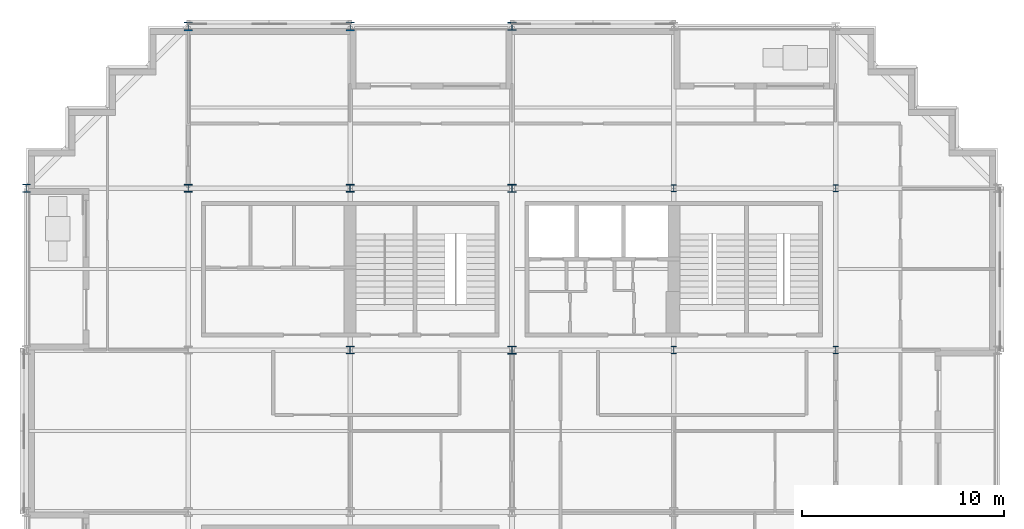
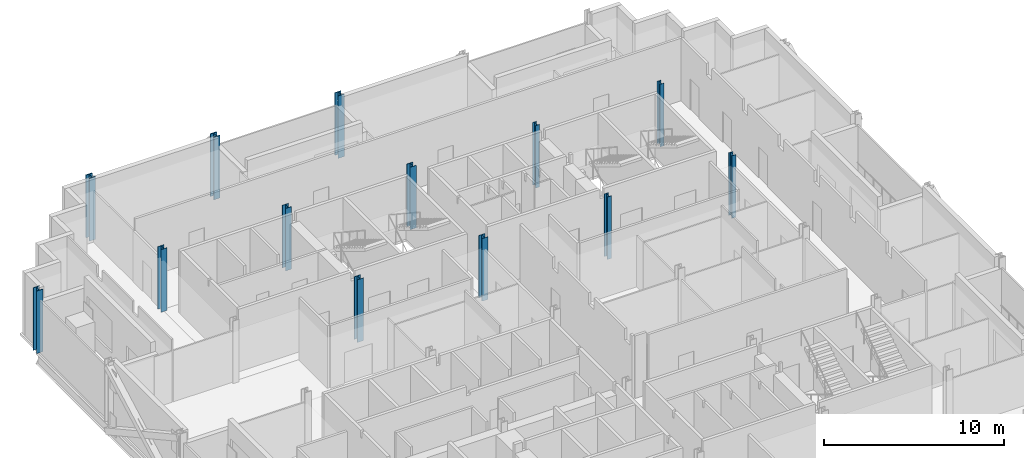
# One storey, part 2 of 15: 13 columns.
"""IFC4 building model written with IfcOpenShell, lengths in metres."""

import ifcopenshell
import ifcopenshell.guid

model = None  # the IFC model being written
_history = None  # IfcOwnerHistory: only IFC2X3 demands one
_inside = {}  # id of a spatial element -> (the spatial element, [elements in it])
_under = {}  # id of a project, library or spatial element -> (it, [spatial elements below it])
_declared = {}  # id of a project -> (the project, [libraries it declares])
_typed = {}  # id of a type object -> (the type object, [elements of that type])
_made_of = {}  # id of a material, layer set ... -> (it, [elements and type objects made of it])


def new_model(schema):
    """Start an empty IFC model of exactly this schema.

    Asked for "IFC4X3", IfcOpenShell would pick the latest addendum, in which some entities
    have other attributes; the version numbers below select the first issue.
    IFC2X3 requires an IfcOwnerHistory on every rooted entity: one is made here for all.
    """
    global model, _history
    if schema == "IFC4X3":
        model = ifcopenshell.file(schema_version=(4, 3, 0, 0))
    else:
        model = ifcopenshell.file(schema=schema)
    _inside.clear()
    _under.clear()
    _declared.clear()
    _typed.clear()
    _made_of.clear()
    _history = None
    if model.schema == "IFC2X3":
        org = make("IfcOrganization", Name="unknown")
        user = make(
            "IfcPersonAndOrganization",
            ThePerson=make("IfcPerson", FamilyName="unknown"),
            TheOrganization=org,
        )
        app = make(
            "IfcApplication",
            ApplicationDeveloper=org,
            Version="unknown",
            ApplicationFullName="unknown",
            ApplicationIdentifier="unknown",
        )
        _history = make(
            "IfcOwnerHistory",
            OwningUser=user,
            OwningApplication=app,
            ChangeAction="ADDED",
            CreationDate=0,
        )
    return model


def make(cls, **values):
    """One entity of the class cls with the attributes given. An attribute that is None is left unset."""
    return model.create_entity(
        cls, **{name: value for name, value in values.items() if value is not None}
    )


def rooted(cls, **values):
    """An entity with a GlobalId (a new one), such as an element, a storey or a relation."""
    return make(cls, GlobalId=ifcopenshell.guid.new(), OwnerHistory=_history, **values)


def si_unit(unit_type, name, prefix=None):
    """IfcSIUnit, for example si_unit("LENGTHUNIT", "METRE", prefix="MILLI")."""
    return make("IfcSIUnit", UnitType=unit_type, Prefix=prefix, Name=name)


def assignment(units):
    """IfcUnitAssignment: the units of a project."""
    return None if units is None else make("IfcUnitAssignment", Units=units)


def point(xyz):
    """IfcCartesianPoint."""
    return None if xyz is None else make("IfcCartesianPoint", Coordinates=xyz)


def direction(xyz):
    """IfcDirection."""
    return None if xyz is None else make("IfcDirection", DirectionRatios=xyz)


def frame(location, z_axis=None, x_axis=None):
    """IfcAxis2Placement3D, a coordinate frame: its origin and axes. An axis left out is left unset."""
    return make(
        "IfcAxis2Placement3D",
        Location=point(location),
        Axis=direction(z_axis),
        RefDirection=direction(x_axis),
    )


def frame_2d(location, x_axis=None):
    """IfcAxis2Placement2D, a coordinate frame in the plane: its origin and x axis."""
    return make(
        "IfcAxis2Placement2D", Location=point(location), RefDirection=direction(x_axis)
    )


def origin():
    """The frame at (0, 0, 0) with its axes left unset."""
    return frame((0.0, 0.0, 0.0))


def origin_2d():
    """The frame at (0, 0) in the plane with its x axis left unset."""
    return frame_2d((0.0, 0.0))


def place(relative_to, where):
    """IfcLocalPlacement: puts the frame where relative to a parent placement (None: the world)."""
    return make(
        "IfcLocalPlacement", PlacementRelTo=relative_to, RelativePlacement=where
    )


def context(
    kind, dimensions, precision=None, world=None, true_north=None, identifier=None
):
    """IfcGeometricRepresentationContext, for example the 3D "Model" context."""
    return make(
        "IfcGeometricRepresentationContext",
        ContextIdentifier=identifier,
        ContextType=kind,
        CoordinateSpaceDimension=dimensions,
        Precision=precision,
        WorldCoordinateSystem=world,
        TrueNorth=true_north,
    )


def subcontext(parent, identifier, kind, view, scale=None):
    """IfcGeometricRepresentationSubContext, for example "Body" below "Model"."""
    return make(
        "IfcGeometricRepresentationSubContext",
        ContextIdentifier=identifier,
        ContextType=kind,
        ParentContext=parent,
        TargetScale=scale,
        TargetView=view,
    )


def project(units=None, contexts=None):
    """IfcProject with its units and contexts."""
    return rooted(
        "IfcProject",
        Name="project",
        RepresentationContexts=contexts,
        UnitsInContext=assignment(units),
    )


def spatial(cls, under=None, at=None, **own):
    """A site, building, storey or space (cls), placed at a placement, below another one or the project."""
    s = rooted(cls, ObjectPlacement=at, **own)
    if under is not None:
        _under.setdefault(under.id(), (under, []))[1].append(s)
    return s


def profile(cls, at=None, kind="AREA", **sizes):
    """A parametric profile (cls). Its sizes go by their IFC names, for example OverallWidth=200.0."""
    return make(cls, ProfileType=kind, Position=at, **sizes)


def i_section(**sizes):
    """IfcIShapeProfileDef."""
    return profile("IfcIShapeProfileDef", **sizes)


def extrude(swept, where, along, depth):
    """IfcExtrudedAreaSolid: the profile swept, set in the frame where, extruded along a direction by depth."""
    return make(
        "IfcExtrudedAreaSolid",
        SweptArea=swept,
        Position=where,
        ExtrudedDirection=direction(along),
        Depth=depth,
    )


def shape(context_of_items, identifier, shape_type, items):
    """IfcShapeRepresentation: the items that make up one representation, for example the "Body"."""
    return make(
        "IfcShapeRepresentation",
        ContextOfItems=context_of_items,
        RepresentationIdentifier=identifier,
        RepresentationType=shape_type,
        Items=items,
    )


def material(Name=None, Category=None):
    """IfcMaterial."""
    return make("IfcMaterial", Name=Name, Category=Category)


def material_profile(
    of_material, cross_section, Name=None, Category=None, Priority=None
):
    """IfcMaterialProfile: a cross section and its material."""
    return make(
        "IfcMaterialProfile",
        Name=Name,
        Material=of_material,
        Profile=cross_section,
        Priority=Priority,
        Category=Category,
    )


def profile_set(profiles, Name=None, composite=None):
    """IfcMaterialProfileSet."""
    return make(
        "IfcMaterialProfileSet",
        Name=Name,
        MaterialProfiles=profiles,
        CompositeProfile=composite,
    )


def made_of(thing, what):
    """Note that an element or type object is made of a material, layer set ...; save() writes the relation."""
    if what is not None:
        _made_of.setdefault(what.id(), (what, []))[1].append(thing)
    return thing


def type_object(cls, material=None, **own):
    """A type object (cls), such as IfcWallType, which elements share."""
    return made_of(rooted(cls, **own), material)


def element(
    cls,
    number,
    at=None,
    inside=None,
    cuts=None,
    type_object=None,
    material=None,
    context=None,
    identifier="Body",
    shape_type=None,
    held_by="IfcProductDefinitionShape",
    body=None,
    shapes=None,
    **own,
):
    """One element of the class cls, such as IfcWall. Its Tag is "e" and its number.

    at: its placement. inside: the storey or other place that contains it. cuts: it is an
    opening in that element (IfcRelVoidsElement). A single representation is given by context,
    identifier, shape_type and body (its items); several are given by shapes. held_by: the class
    of the entity that holds the representations. save() writes the other relations.
    """
    e = rooted(cls, Tag="e%d" % number, ObjectPlacement=at, **own)
    if body is not None:
        shapes = [shape(context, identifier, shape_type, body)]
    if shapes is not None:
        e.Representation = make(held_by, Representations=shapes)
    if inside is not None:
        _inside.setdefault(inside.id(), (inside, []))[1].append(e)
    if cuts is not None:
        rooted(
            "IfcRelVoidsElement", RelatingBuildingElement=cuts, RelatedOpeningElement=e
        )
    if type_object is not None:
        _typed.setdefault(type_object.id(), (type_object, []))[1].append(e)
    return made_of(e, material)


def aggregate(whole, parts):
    """IfcRelAggregates: a whole, such as a stair, and the parts it consists of."""
    return rooted("IfcRelAggregates", RelatingObject=whole, RelatedObjects=parts)


def save(model, path):
    """Write the relations noted so far, then the file.

    IfcRelAggregates (storeys below a building ...), IfcRelContainedInSpatialStructure (elements
    in a storey), IfcRelDefinesByType, IfcRelAssociatesMaterial and IfcRelDeclares: one each for
    every whole, place, type object, material and project.
    """
    for whole, parts in _under.values():
        aggregate(whole, parts)
    for where, things in _inside.values():
        rooted(
            "IfcRelContainedInSpatialStructure",
            RelatedElements=things,
            RelatingStructure=where,
        )
    for kind, things in _typed.values():
        rooted("IfcRelDefinesByType", RelatedObjects=things, RelatingType=kind)
    for what, things in _made_of.values():
        rooted("IfcRelAssociatesMaterial", RelatedObjects=things, RelatingMaterial=what)
    for by, libraries in _declared.values():
        rooted("IfcRelDeclares", RelatingContext=by, RelatedDefinitions=libraries)
    model.write(path)


model = new_model("IFC4")

# Units and contexts
model_context = context("Model", 3, precision=1e-05, world=origin(), true_north=direction((0.0, 1.0)))
body_context = subcontext(model_context, "Body", "Model", "MODEL_VIEW")
ifc_project = project(units=[si_unit("LENGTHUNIT", "METRE"), si_unit("AREAUNIT", "SQUARE_METRE"), si_unit("VOLUMEUNIT", "CUBIC_METRE"), si_unit("PLANEANGLEUNIT", "RADIAN"), si_unit("MASSUNIT", "GRAM", prefix="KILO")], contexts=[model_context])

# Site, building, storey
site_placement = place(None, origin())
site = spatial("IfcSite", under=ifc_project, at=site_placement, CompositionType="ELEMENT")
building_placement = place(site_placement, origin())
building = spatial("IfcBuilding", under=site, at=building_placement, Name="Immortelle Media Tower", CompositionType="ELEMENT")
storey_placement = place(building_placement, frame((0.0, 0.0, 87.60009765625)))
storey = spatial("IfcBuildingStorey", under=building, at=storey_placement, Name="L16", CompositionType="ELEMENT", Elevation=87.60009765625)

# Columns
ifc_material = material(Name="Steel ASTM A992 Gr 50", Category="steel")
ifc_material_profile_1 = material_profile(ifc_material, i_section(OverallWidth=0.39404296875, OverallDepth=0.3759765625, WebThickness=0.01708984375, FlangeThickness=0.028076171875, at=origin_2d()), Name="W14x145")
ifc_profile_set_1 = profile_set([ifc_material_profile_1], Name="Steel ASTM A992 Gr 50")
column_type_1 = type_object("IfcColumnType", Name="W14x145 column", PredefinedType="COLUMN", material=ifc_profile_set_1)
for number, where, z_axis, x_axis, name in (
    (1, (8.0, 40.0, 0.0), (0.0, 0.0, 1.0), (1.0, 0.0, 0.0), "Column 2/F"),
    (2, (16.0, 32.0, 0.0), (0.0, 0.0, 1.0), (1.0, 0.0, 0.0), "Column 3/E"),
    (3, (16.0, 40.0, 0.0), (0.0, 0.0, 1.0), (1.0, 0.0, 0.0), "Column 3/F"),
):
    element("IfcColumn", number, at=place(storey_placement, frame(where, z_axis=z_axis, x_axis=x_axis)), inside=storey, type_object=column_type_1, Name=name, PredefinedType="COLUMN", context=body_context, shape_type="SweptSolid", body=[
        extrude(i_section(OverallWidth=0.39404296875, OverallDepth=0.3759765625, WebThickness=0.01708984375, FlangeThickness=0.028076171875, at=origin_2d()), origin(), (0.0, 0.0, 1.0), 4.25),
    ])
ifc_material_profile_2 = material_profile(ifc_material, i_section(OverallWidth=0.39892578125, OverallDepth=0.385986328125, WebThickness=0.02099609375, FlangeThickness=0.032958984375, at=origin_2d()), Name="W14x176")
ifc_profile_set_2 = profile_set([ifc_material_profile_2], Name="Steel ASTM A992 Gr 50")
column_type_2 = type_object("IfcColumnType", Name="W14x176 column", PredefinedType="COLUMN", material=ifc_profile_set_2)
for number, where, z_axis, x_axis, name in (
    (4, (24.0, 32.0, 0.0), (0.0, 0.0, 1.0), (1.0, 0.0, 0.0), "Column 4/E"),
    (5, (24.0, 40.0, 0.0), (0.0, 0.0, 1.0), (1.0, 0.0, 0.0), "Column 4/F"),
    (6, (24.0, 48.0, 0.0), (0.0, 0.0, 1.0), (1.0, 0.0, 0.0), "Column 4/G"),
):
    element("IfcColumn", number, at=place(storey_placement, frame(where, z_axis=z_axis, x_axis=x_axis)), inside=storey, type_object=column_type_2, Name=name, PredefinedType="COLUMN", context=body_context, shape_type="SweptSolid", body=[
        extrude(i_section(OverallWidth=0.39892578125, OverallDepth=0.385986328125, WebThickness=0.02099609375, FlangeThickness=0.032958984375, at=origin_2d()), origin(), (0.0, 0.0, 1.0), 4.25),
    ])
ifc_material_profile_3 = material_profile(ifc_material, i_section(OverallWidth=0.40087890625, OverallDepth=0.39892578125, WebThickness=0.02490234375, FlangeThickness=0.0400390625, at=origin_2d()), Name="W14x211")
ifc_profile_set_3 = profile_set([ifc_material_profile_3], Name="Steel ASTM A992 Gr 50")
column_type_3 = type_object("IfcColumnType", Name="W14x211 column", PredefinedType="COLUMN", material=ifc_profile_set_3)
column_placement = place(storey_placement, frame((0.0, 40.0, 0.0), z_axis=(0.0, 0.0, 1.0), x_axis=(1.0, 0.0, 0.0)))
element("IfcColumn", 7, at=column_placement, inside=storey, type_object=column_type_3, Name="Column 1/F", PredefinedType="COLUMN", context=body_context, shape_type="SweptSolid", body=[
    extrude(i_section(OverallWidth=0.40087890625, OverallDepth=0.39892578125, WebThickness=0.02490234375, FlangeThickness=0.0400390625, at=origin_2d()), origin(), (0.0, 0.0, 1.0), 4.25),
])
ifc_material_profile_4 = material_profile(ifc_material, i_section(OverallWidth=0.410888671875, OverallDepth=0.43408203125, WebThickness=0.035888671875, FlangeThickness=0.056884765625, at=origin_2d()), Name="W14x311")
ifc_profile_set_4 = profile_set([ifc_material_profile_4], Name="Steel ASTM A992 Gr 50")
column_type_4 = type_object("IfcColumnType", Name="W14x311 column", PredefinedType="COLUMN", material=ifc_profile_set_4)
for number, where, z_axis, x_axis, name in (
    (8, (8.0, 48.0, 0.0), (0.0, 0.0, 1.0), (1.0, 0.0, 0.0), "Column 2/G"),
    (9, (16.0, 48.0, 0.0), (0.0, 0.0, 1.0), (1.0, 0.0, 0.0), "Column 3/G"),
):
    element("IfcColumn", number, at=place(storey_placement, frame(where, z_axis=z_axis, x_axis=x_axis)), inside=storey, type_object=column_type_4, Name=name, PredefinedType="COLUMN", context=body_context, shape_type="SweptSolid", body=[
        extrude(i_section(OverallWidth=0.410888671875, OverallDepth=0.43408203125, WebThickness=0.035888671875, FlangeThickness=0.056884765625, at=origin_2d()), origin(), (0.0, 0.0, 1.0), 4.25),
    ])
ifc_material_profile_5 = material_profile(ifc_material, i_section(OverallWidth=0.257080078125, OverallDepth=0.363037109375, WebThickness=0.012939453125, FlangeThickness=0.02197265625, at=origin_2d()), Name="W14x82")
ifc_profile_set_5 = profile_set([ifc_material_profile_5], Name="Steel ASTM A992 Gr 50")
column_type_5 = type_object("IfcColumnType", Name="W14x82 column", PredefinedType="COLUMN", material=ifc_profile_set_5)
for number, where, z_axis, x_axis, name in (
    (10, (32.0, 32.0, 0.0), (0.0, 0.0, 1.0), (1.0, 0.0, 0.0), "Column 5/E"),
    (11, (32.0, 40.0, 0.0), (0.0, 0.0, 1.0), (1.0, 0.0, 0.0), "Column 5/F"),
    (12, (40.0, 32.0, 0.0), (0.0, 0.0, 1.0), (1.0, 0.0, 0.0), "Column 6/E"),
    (13, (40.0, 40.0, 0.0), (0.0, 0.0, 1.0), (1.0, 0.0, 0.0), "Column 6/F"),
):
    element("IfcColumn", number, at=place(storey_placement, frame(where, z_axis=z_axis, x_axis=x_axis)), inside=storey, type_object=column_type_5, Name=name, PredefinedType="COLUMN", context=body_context, shape_type="SweptSolid", body=[
        extrude(i_section(OverallWidth=0.257080078125, OverallDepth=0.363037109375, WebThickness=0.012939453125, FlangeThickness=0.02197265625, at=origin_2d()), origin(), (0.0, 0.0, 1.0), 4.25),
    ])

save(model, "model.ifc")
